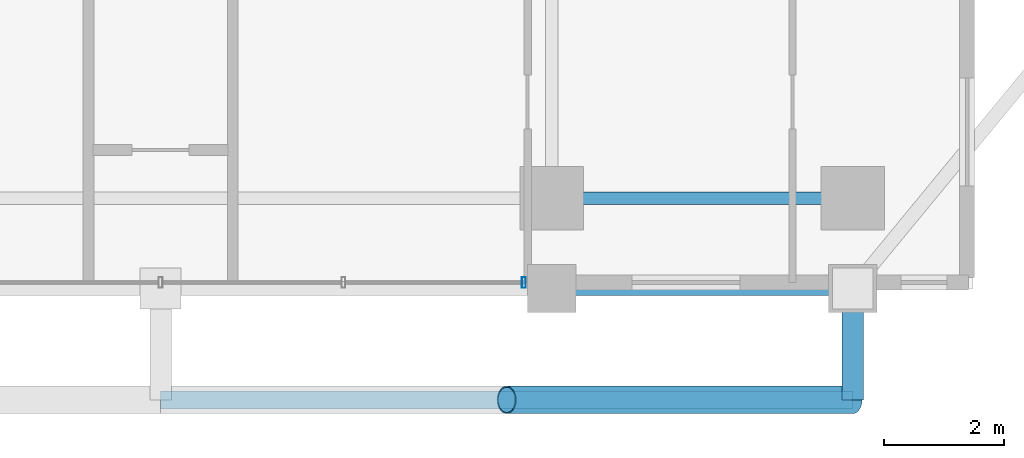
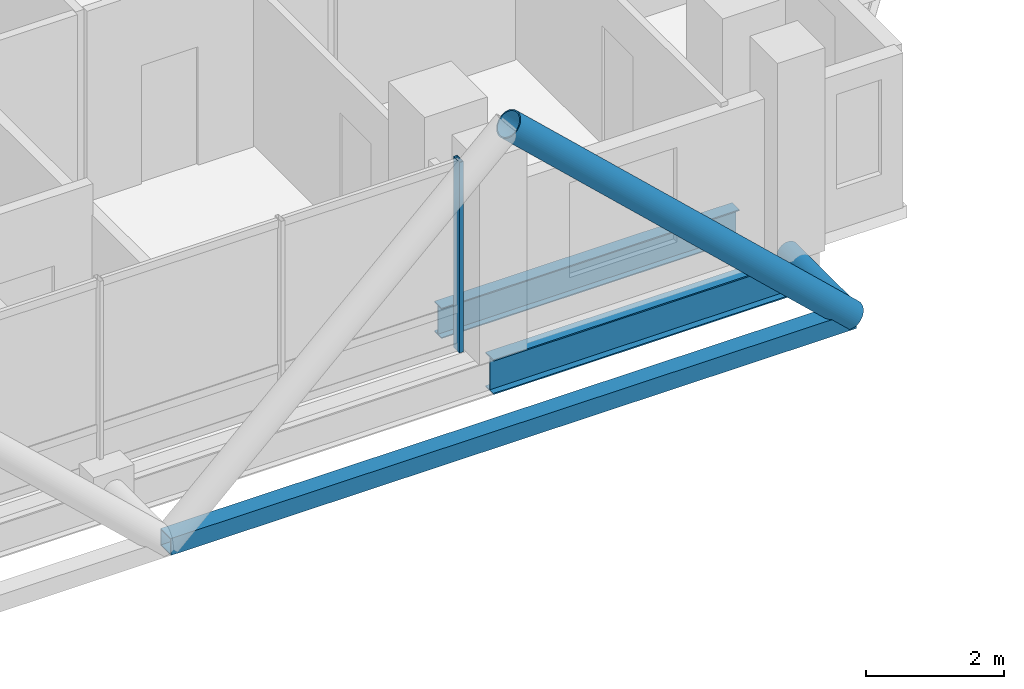
# One storey, part 5 of 26: 4 members, 2 beams, 1 element without a shape of its own.
"""IFC4 building model written with IfcOpenShell, lengths in metres."""

from ifc_helpers import new_model, si_unit, direction, frame, origin, origin_2d, place, context, subcontext, project, spatial, hollow_rectangle, hollow_circle, i_section, extrude, material, layer, layer_set, material_profile, profile_set, type_object, element, aggregate, save


model = new_model("IFC4")

# Units and contexts
model_context = context("Model", 3, precision=1e-05, world=origin(), true_north=direction((0.0, 1.0)))
body_context = subcontext(model_context, "Body", "Model", "MODEL_VIEW")
ifc_project = project(units=[si_unit("LENGTHUNIT", "METRE"), si_unit("AREAUNIT", "SQUARE_METRE"), si_unit("VOLUMEUNIT", "CUBIC_METRE"), si_unit("PLANEANGLEUNIT", "RADIAN"), si_unit("MASSUNIT", "GRAM", prefix="KILO")], contexts=[model_context])

# Site, building, storey
site_placement = place(None, origin())
site = spatial("IfcSite", under=ifc_project, at=site_placement, CompositionType="ELEMENT")
building_placement = place(site_placement, origin())
building = spatial("IfcBuilding", under=site, at=building_placement, Name="Barlavira Tower and Art Museum", CompositionType="ELEMENT")
storey_placement = place(building_placement, frame((0.0, 0.0, 187.199951171875)))
storey = spatial("IfcBuildingStorey", under=building, at=storey_placement, Name="L48", CompositionType="ELEMENT", Elevation=187.199951171875)

# Curtain wall, member
ifc_material_1 = material(Name="Low-iron coastal laminated glass", Category="glass")
ifc_layer = layer(ifc_material_1, 0.199951171875, Name="Low-iron coastal laminated glass")
ifc_layer_set = layer_set([ifc_layer], Name="Low-iron coastal laminated glass")
curtain_wall_type = type_object("IfcCurtainWallType", Name="Pale-Metal Unitised Curtain Wall Zone 3", PredefinedType="NOTDEFINED", material=ifc_layer_set)
curtain_wall_placement = place(storey_placement, origin())
curtain_wall = element("IfcCurtainWall", 1, at=curtain_wall_placement, inside=storey, type_object=curtain_wall_type, Name="L48 Curtain Wall CW3-L48-S-B3", PredefinedType="NOTDEFINED")
ifc_material_2 = material(Name="Pale anodised aluminium", Category="aluminium")
ifc_material_profile_1 = material_profile(ifc_material_2, hollow_rectangle(XDim=0.06494140625, YDim=0.179931640625, WallThickness=0.00390625, at=origin_2d()), Name="ALU-MULL 65x180x4")
ifc_profile_set_1 = profile_set([ifc_material_profile_1], Name="Pale anodised aluminium")
member_type_1 = type_object("IfcMemberType", Name="Curtain Wall Pale-Metal Mullion 65x180", PredefinedType="MULLION", material=ifc_profile_set_1)
member_1_placement = place(storey_placement, frame((6.034912109375, -21.39990234375, 0.0), z_axis=(0.0, 0.0, 1.0), x_axis=(1.0, 0.0, 0.0)))
member_1 = element("IfcMember", 2, at=member_1_placement, type_object=member_type_1, Name="CW3-L48-S-B3 Mullion 4", PredefinedType="MULLION", context=body_context, shape_type="SweptSolid", body=[
    extrude(hollow_rectangle(XDim=0.06494140625, YDim=0.179931640625, WallThickness=0.00390625, at=origin_2d()), origin(), (0.0, 0.0, 1.0), 3.380126953125),
])
aggregate(curtain_wall, [member_1])

# Members
ifc_material_3 = material(Name="Steel S355", Category="steel")
ifc_material_profile_2 = material_profile(ifc_material_3, hollow_circle(Radius=0.228515625, WallThickness=0.02001953125, at=origin_2d()), Name="CHS 457.0x20.0")
ifc_profile_set_2 = profile_set([ifc_material_profile_2], Name="Steel S355")
member_type_2 = type_object("IfcMemberType", Name="Pale-Metal Exoskeleton Diagrid Tube CHS 457x20 Steel S355", PredefinedType="BRACE", material=ifc_profile_set_2)
member_2_placement = place(storey_placement, frame((11.5, -23.35009765625, -0.119873046875), z_axis=(-0.728950095515, 0.0, 0.684566839869), x_axis=(0.0, -1.0, 0.0)))
element("IfcMember", 3, at=member_2_placement, inside=storey, type_object=member_type_2, Name="L48 Exoskeleton Diagrid Tube S", PredefinedType="BRACE", context=body_context, shape_type="SweptSolid", body=[
    extrude(hollow_circle(Radius=0.228515625, WallThickness=0.02001953125, at=origin_2d()), origin(), (0.0, 0.0, 1.0), 7.887939453125),
])
ifc_material_profile_3 = material_profile(ifc_material_3, hollow_circle(Radius=0.177734375, WallThickness=0.01611328125, at=origin_2d()), Name="CHS 355.6x16.0")
ifc_profile_set_3 = profile_set([ifc_material_profile_3], Name="Steel S355")
member_type_3 = type_object("IfcMemberType", Name="Pale-Metal Exoskeleton Tie Strut CHS 356x16 Steel S355", PredefinedType="STRUT", material=ifc_profile_set_3)
member_3_placement = place(storey_placement, frame((11.5, -23.35009765625, -0.119873046875), z_axis=(0.0, 1.0, 0.0), x_axis=(-1.0, 0.0, 0.0)))
element("IfcMember", 4, at=member_3_placement, inside=storey, type_object=member_type_3, Name="L48 Exoskeleton Tie Strut S3", PredefinedType="STRUT", context=body_context, shape_type="SweptSolid", body=[
    extrude(hollow_circle(Radius=0.177734375, WallThickness=0.01611328125, at=origin_2d()), origin(), (0.0, 0.0, 1.0), 1.85009765625),
])
ifc_material_profile_4 = material_profile(ifc_material_3, hollow_rectangle(XDim=0.300048828125, YDim=0.300048828125, WallThickness=0.01611328125, at=origin_2d()), Name="SHS 300x300x16.0")
ifc_profile_set_4 = profile_set([ifc_material_profile_4], Name="Steel S355")
member_type_4 = type_object("IfcMemberType", Name="Pale-Metal Upper Ring Strut SHS 300x300x16 Steel S355", PredefinedType="STRUT", material=ifc_profile_set_4)
member_4_placement = place(storey_placement, frame((0.0, -23.35009765625, -0.119873046875), z_axis=(1.0, 0.0, 0.0), x_axis=(0.0, 1.0, 0.0)))
element("IfcMember", 5, at=member_4_placement, inside=storey, type_object=member_type_4, Name="L48 Exoskeleton Ring Strut S", PredefinedType="STRUT", context=body_context, shape_type="SweptSolid", body=[
    extrude(hollow_rectangle(XDim=0.300048828125, YDim=0.300048828125, WallThickness=0.01611328125, at=origin_2d()), origin(), (0.0, 0.0, 1.0), 11.5),
])

# Beams
ifc_material_profile_5 = material_profile(ifc_material_3, i_section(OverallWidth=0.22998046875, OverallDepth=0.616943359375, WebThickness=0.01318359375, FlangeThickness=0.022216796875, at=origin_2d()), Name="W610x140.0")
ifc_profile_set_5 = profile_set([ifc_material_profile_5], Name="Steel S355")
beam_type_1 = type_object("IfcBeamType", Name="Upper Shaft Spandrel Edge Beam W610x140 Steel S355", PredefinedType="SPANDREL", material=ifc_profile_set_5)
beam_1_placement = place(storey_placement, frame((6.5, -21.5, -0.528564453125), z_axis=(1.0, 0.0, 0.0), x_axis=(0.0, 1.0, 0.0)))
element("IfcBeam", 6, at=beam_1_placement, inside=storey, type_object=beam_type_1, Name="L48 Spandrel 3", PredefinedType="SPANDREL", context=body_context, shape_type="SweptSolid", body=[
    extrude(i_section(OverallWidth=0.22998046875, OverallDepth=0.616943359375, WebThickness=0.01318359375, FlangeThickness=0.022216796875, at=origin_2d()), origin(), (0.0, 0.0, 1.0), 5.0),
])
ifc_material_profile_6 = material_profile(ifc_material_3, i_section(OverallWidth=0.2109375, OverallDepth=0.5390625, WebThickness=0.01171875, FlangeThickness=0.018798828125, at=origin_2d()), Name="W530x109.0")
ifc_profile_set_6 = profile_set([ifc_material_profile_6], Name="Steel S355")
beam_type_2 = type_object("IfcBeamType", Name="Zone 3-4 Primary Floor Girder W530x109 Steel S355", PredefinedType="BEAM", material=ifc_profile_set_6)
beam_2_placement = place(storey_placement, frame((6.5, -20.0, -0.489501953125), z_axis=(1.0, 0.0, 0.0), x_axis=(0.0, 1.0, 0.0)))
element("IfcBeam", 7, at=beam_2_placement, inside=storey, type_object=beam_type_2, Name="L48 Girder M-S3", PredefinedType="BEAM", context=body_context, shape_type="SweptSolid", body=[
    extrude(i_section(OverallWidth=0.2109375, OverallDepth=0.5390625, WebThickness=0.01171875, FlangeThickness=0.018798828125, at=origin_2d()), origin(), (0.0, 0.0, 1.0), 5.0),
])

save(model, "model.ifc")
